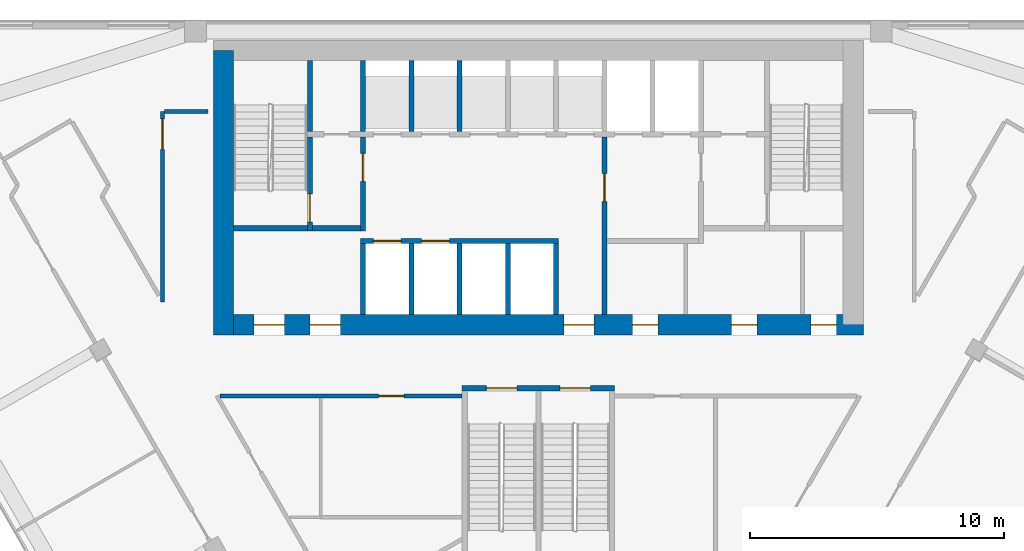
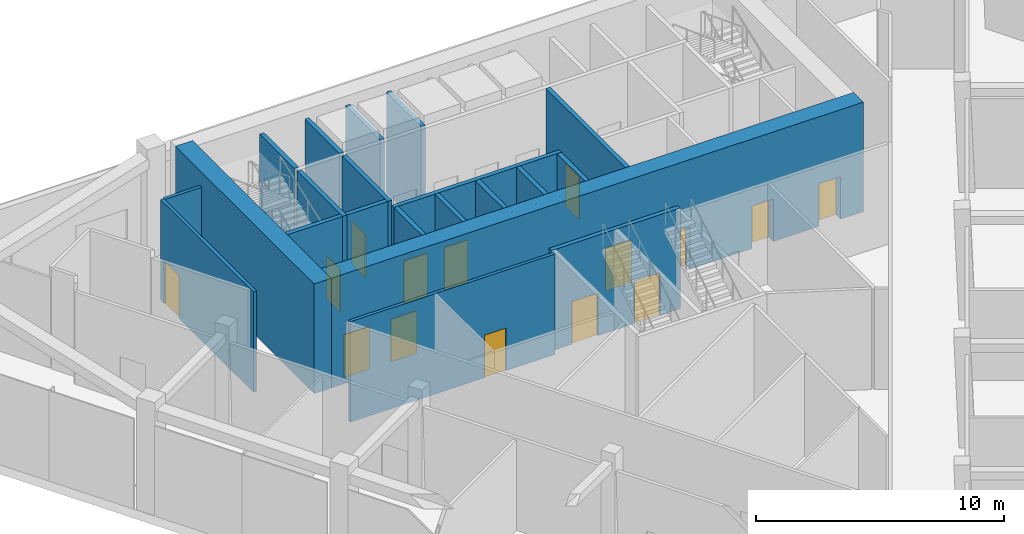
# One storey, part 8 of 12: 21 walls, 15 doors, 15 openings.
"""IFC4 building model written with IfcOpenShell, lengths in metres."""

from ifc_helpers import new_model, si_unit, direction, frame, frame_2d, origin, place, context, subcontext, project, spatial, rectangle, extrude, material, layer, layer_set, type_object, element, fill, save


model = new_model("IFC4")

# Units and contexts
model_context = context("Model", 3, precision=1e-05, world=origin(), true_north=direction((0.0, 1.0)))
body_context = subcontext(model_context, "Body", "Model", "MODEL_VIEW")
ifc_project = project(units=[si_unit("LENGTHUNIT", "METRE"), si_unit("AREAUNIT", "SQUARE_METRE"), si_unit("VOLUMEUNIT", "CUBIC_METRE"), si_unit("PLANEANGLEUNIT", "RADIAN"), si_unit("MASSUNIT", "GRAM", prefix="KILO")], contexts=[model_context])

# Site, building, storey
site_placement = place(None, origin())
site = spatial("IfcSite", under=ifc_project, at=site_placement, CompositionType="ELEMENT")
building_placement = place(site_placement, origin())
building = spatial("IfcBuilding", under=site, at=building_placement, Name="Altiplano Prism Tower", CompositionType="ELEMENT")
storey_placement = place(building_placement, frame((0.0, 0.0, 118.800048828125)))
storey = spatial("IfcBuildingStorey", under=building, at=storey_placement, Name="L30", CompositionType="ELEMENT", Elevation=118.800048828125)

# Wall, openings, doors
ifc_material_1 = material(Name="Concrete C60/75", Category="concrete")
ifc_layer_1 = layer(ifc_material_1, 0.800048828125)
ifc_layer_set_1 = layer_set([ifc_layer_1], Name="Concrete C60/75")
wall_type_1 = type_object("IfcWallType", Name="Core wall 800", PredefinedType="SHEAR", material=ifc_layer_set_1)
wall_1_placement = place(storey_placement, frame((72.60009765625, 93.0, 0.0), z_axis=(0.0, 0.0, 1.0), x_axis=(1.0, 0.0, 0.0)))
wall_1 = element("IfcWall", 1, at=wall_1_placement, inside=storey, type_object=wall_type_1, Name="Core wall S L30", PredefinedType="SHEAR", context=body_context, shape_type="SweptSolid", body=[
    extrude(rectangle(XDim=25.199951171875, YDim=0.800048828125, at=frame_2d((12.60009765625, 0.0))), origin(), (0.0, 0.0, 1.0), 5.39990234375),
])
opening_1_placement = place(wall_1_placement, frame((1.199951171875, 0.0, 0.0)))
opening_1 = element("IfcOpeningElement", 2, at=opening_1_placement, cuts=wall_1, Name="Opening D2990", PredefinedType="OPENING", context=body_context, shape_type="SweptSolid", body=[
    extrude(rectangle(XDim=1.199951171875, YDim=2.10009765625, at=frame_2d((0.60009765625, 1.050048828125))), frame((0.0, 0.41064453125, 0.0), z_axis=(0.0, -1.0, 0.0), x_axis=(1.0, 0.0, 0.0)), (0.0, 0.0, 1.0), 0.821044921875),
])
opening_2_placement = place(wall_1_placement, frame((3.39990234375, 0.0, 0.0)))
opening_2 = element("IfcOpeningElement", 3, at=opening_2_placement, cuts=wall_1, Name="Opening D2991", PredefinedType="OPENING", context=body_context, shape_type="SweptSolid", body=[
    extrude(rectangle(XDim=1.199951171875, YDim=2.10009765625, at=frame_2d((0.60009765625, 1.050048828125))), frame((0.0, 0.41064453125, 0.0), z_axis=(0.0, -1.0, 0.0), x_axis=(1.0, 0.0, 0.0)), (0.0, 0.0, 1.0), 0.821044921875),
])
opening_3_placement = place(wall_1_placement, frame((13.39990234375, 0.0, 0.0)))
opening_3 = element("IfcOpeningElement", 4, at=opening_3_placement, cuts=wall_1, Name="Opening D2992", PredefinedType="OPENING", context=body_context, shape_type="SweptSolid", body=[
    extrude(rectangle(XDim=1.199951171875, YDim=2.10009765625, at=frame_2d((0.60009765625, 1.050048828125))), frame((0.0, 0.41064453125, 0.0), z_axis=(0.0, -1.0, 0.0), x_axis=(1.0, 0.0, 0.0)), (0.0, 0.0, 1.0), 0.821044921875),
])
opening_4_placement = place(wall_1_placement, frame((16.112548828125, 0.0, 0.0)))
opening_4 = element("IfcOpeningElement", 5, at=opening_4_placement, cuts=wall_1, Name="Opening D2995", PredefinedType="OPENING", context=body_context, shape_type="SweptSolid", body=[
    extrude(rectangle(XDim=1.0, YDim=2.10009765625, at=frame_2d((0.5, 1.050048828125))), frame((0.0, 0.41064453125, 0.0), z_axis=(0.0, -1.0, 0.0), x_axis=(1.0, 0.0, 0.0)), (0.0, 0.0, 1.0), 0.821044921875),
])
opening_5_placement = place(wall_1_placement, frame((20.0, 0.0, 0.0)))
opening_5 = element("IfcOpeningElement", 6, at=opening_5_placement, cuts=wall_1, Name="Opening D2996", PredefinedType="OPENING", context=body_context, shape_type="SweptSolid", body=[
    extrude(rectangle(XDim=1.0, YDim=2.10009765625, at=frame_2d((0.5, 1.050048828125))), frame((0.0, 0.41064453125, 0.0), z_axis=(0.0, -1.0, 0.0), x_axis=(1.0, 0.0, 0.0)), (0.0, 0.0, 1.0), 0.821044921875),
])
opening_6_placement = place(wall_1_placement, frame((23.137451171875, 0.0, 0.0)))
opening_6 = element("IfcOpeningElement", 7, at=opening_6_placement, cuts=wall_1, Name="Opening D2997", PredefinedType="OPENING", context=body_context, shape_type="SweptSolid", body=[
    extrude(rectangle(XDim=1.0, YDim=2.10009765625, at=frame_2d((0.5, 1.050048828125))), frame((0.0, 0.41064453125, 0.0), z_axis=(0.0, -1.0, 0.0), x_axis=(1.0, 0.0, 0.0)), (0.0, 0.0, 1.0), 0.821044921875),
])
ifc_material_2 = material(Name="Fire-rated steel door", Category="steel")
door_type_1 = type_object("IfcDoorType", Name="Core room door 1000 x 2100", OperationType="NOTDEFINED", PredefinedType="NOTDEFINED", material=ifc_material_2)
door_1_placement = place(opening_4_placement, origin())
door_1 = element("IfcDoor", 8, at=door_1_placement, inside=storey, type_object=door_type_1, Name="Core room door D2995", OperationType="SINGLE_SWING_RIGHT", OverallHeight=2.10009765625, OverallWidth=1.0, PredefinedType="NOTDEFINED", context=body_context, shape_type="SweptSolid", body=[
    extrude(rectangle(XDim=1.0, YDim=2.10009765625, at=frame_2d((0.5, 1.050048828125))), frame((0.0, 0.02490234375, 0.0), z_axis=(0.0, -1.0, 0.0), x_axis=(1.0, 0.0, 0.0)), (0.0, 0.0, 1.0), 0.050048828125),
])
fill(opening_4, door_1)
door_2_placement = place(opening_5_placement, origin())
door_2 = element("IfcDoor", 9, at=door_2_placement, inside=storey, type_object=door_type_1, Name="Core room door D2996", OperationType="SINGLE_SWING_LEFT", OverallHeight=2.10009765625, OverallWidth=1.0, PredefinedType="NOTDEFINED", context=body_context, shape_type="SweptSolid", body=[
    extrude(rectangle(XDim=1.0, YDim=2.10009765625, at=frame_2d((0.5, 1.050048828125))), frame((0.0, 0.02490234375, 0.0), z_axis=(0.0, -1.0, 0.0), x_axis=(1.0, 0.0, 0.0)), (0.0, 0.0, 1.0), 0.050048828125),
])
fill(opening_5, door_2)
door_3_placement = place(opening_6_placement, origin())
door_3 = element("IfcDoor", 10, at=door_3_placement, inside=storey, type_object=door_type_1, Name="Core room door D2997", OperationType="SINGLE_SWING_RIGHT", OverallHeight=2.10009765625, OverallWidth=1.0, PredefinedType="NOTDEFINED", context=body_context, shape_type="SweptSolid", body=[
    extrude(rectangle(XDim=1.0, YDim=2.10009765625, at=frame_2d((0.5, 1.050048828125))), frame((0.0, 0.02490234375, 0.0), z_axis=(0.0, -1.0, 0.0), x_axis=(1.0, 0.0, 0.0)), (0.0, 0.0, 1.0), 0.050048828125),
])
fill(opening_6, door_3)
door_type_2 = type_object("IfcDoorType", Name="Lobby fire door 1200 x 2100", OperationType="NOTDEFINED", PredefinedType="NOTDEFINED", material=ifc_material_2)
door_4_placement = place(opening_1_placement, origin())
door_4 = element("IfcDoor", 11, at=door_4_placement, inside=storey, type_object=door_type_2, Name="Lobby fire door D2990", OperationType="SINGLE_SWING_RIGHT", OverallHeight=2.10009765625, OverallWidth=1.199951171875, PredefinedType="NOTDEFINED", context=body_context, shape_type="SweptSolid", body=[
    extrude(rectangle(XDim=1.199951171875, YDim=2.10009765625, at=frame_2d((0.60009765625, 1.050048828125))), frame((0.0, 0.02490234375, 0.0), z_axis=(0.0, -1.0, 0.0), x_axis=(1.0, 0.0, 0.0)), (0.0, 0.0, 1.0), 0.050048828125),
])
fill(opening_1, door_4)
door_5_placement = place(opening_2_placement, origin())
door_5 = element("IfcDoor", 12, at=door_5_placement, inside=storey, type_object=door_type_2, Name="Lobby fire door D2991", OperationType="SINGLE_SWING_LEFT", OverallHeight=2.10009765625, OverallWidth=1.199951171875, PredefinedType="NOTDEFINED", context=body_context, shape_type="SweptSolid", body=[
    extrude(rectangle(XDim=1.199951171875, YDim=2.10009765625, at=frame_2d((0.60009765625, 1.050048828125))), frame((0.0, 0.02490234375, 0.0), z_axis=(0.0, -1.0, 0.0), x_axis=(1.0, 0.0, 0.0)), (0.0, 0.0, 1.0), 0.050048828125),
])
fill(opening_2, door_5)
door_6_placement = place(opening_3_placement, origin())
door_6 = element("IfcDoor", 13, at=door_6_placement, inside=storey, type_object=door_type_2, Name="Lobby fire door D2992", OperationType="SINGLE_SWING_RIGHT", OverallHeight=2.10009765625, OverallWidth=1.199951171875, PredefinedType="NOTDEFINED", context=body_context, shape_type="SweptSolid", body=[
    extrude(rectangle(XDim=1.199951171875, YDim=2.10009765625, at=frame_2d((0.60009765625, 1.050048828125))), frame((0.0, 0.02490234375, 0.0), z_axis=(0.0, -1.0, 0.0), x_axis=(1.0, 0.0, 0.0)), (0.0, 0.0, 1.0), 0.050048828125),
])
fill(opening_3, door_6)

# Walls
wall_2_placement = place(storey_placement, frame((72.60009765625, 103.800048828125, 0.0), z_axis=(0.0, 0.0, 1.0), x_axis=(0.0, -1.0, 0.0)))
element("IfcWall", 14, at=wall_2_placement, inside=storey, type_object=wall_type_1, Name="Core wall W L30", PredefinedType="SHEAR", context=body_context, shape_type="SweptSolid", body=[
    extrude(rectangle(XDim=11.199951171875, YDim=0.800048828125, at=frame_2d((5.60009765625, 0.0))), origin(), (0.0, 0.0, 1.0), 5.39990234375),
])
ifc_material_3 = material(Name="Plasterboard on steel stud", Category="steel")
ifc_layer_2 = layer(ifc_material_3, 0.14990234375)
ifc_layer_set_2 = layer_set([ifc_layer_2], Name="Plasterboard on steel stud")
wall_type_2 = type_object("IfcWallType", Name="Partition 150 corridor", PredefinedType="PARTITIONING", material=ifc_layer_set_2)
wall_3_placement = place(storey_placement, frame((72.0, 101.40087890625, 0.0), z_axis=(0.0, 0.0, 1.0), x_axis=(-0.999999909973, -0.000424328109, 0.0)))
element("IfcWall", 15, at=wall_3_placement, inside=storey, type_object=wall_type_2, Name="Partition P06 L30 015", PredefinedType="PARTITIONING", context=body_context, shape_type="SweptSolid", body=[
    extrude(rectangle(XDim=1.72607421875, YDim=0.14990234375, at=frame_2d((0.863037109375, 0.0))), origin(), (0.0, 0.0, 1.0), 4.949951171875),
])

# Wall, opening, door
wall_4_placement = place(storey_placement, frame((70.198974609375, 101.400146484375, 0.0), z_axis=(0.0, 0.0, 1.0), x_axis=(0.0, -1.0, 0.0)))
wall_4 = element("IfcWall", 16, at=wall_4_placement, inside=storey, type_object=wall_type_2, Name="Partition P06 L30 016", PredefinedType="PARTITIONING", context=body_context, shape_type="SweptSolid", body=[
    extrude(rectangle(XDim=7.49609375, YDim=0.14990234375, at=frame_2d((3.748046875, 0.0))), origin(), (0.0, 0.0, 1.0), 4.949951171875),
])
opening_7_placement = place(wall_4_placement, frame((0.2958984375, 0.0, 0.0)))
opening_7 = element("IfcOpeningElement", 17, at=opening_7_placement, cuts=wall_4, Name="Opening D1085", PredefinedType="OPENING", context=body_context, shape_type="SweptSolid", body=[
    extrude(rectangle(XDim=1.199951171875, YDim=2.10009765625, at=frame_2d((0.60009765625, 1.050048828125))), frame((0.0, 0.08544921875, 0.0), z_axis=(0.0, -1.0, 0.0), x_axis=(1.0, 0.0, 0.0)), (0.0, 0.0, 1.0), 0.1708984375),
])
ifc_material_4 = material(Name="Timber", Category="wood")
door_type_3 = type_object("IfcDoorType", Name="Shared room door 1200 x 2100", OperationType="NOTDEFINED", PredefinedType="NOTDEFINED", material=ifc_material_4)
door_7_placement = place(opening_7_placement, origin())
door_7 = element("IfcDoor", 18, at=door_7_placement, inside=storey, type_object=door_type_3, Name="Door D1085", OperationType="SINGLE_SWING_LEFT", OverallHeight=2.10009765625, OverallWidth=1.199951171875, PredefinedType="NOTDEFINED", context=body_context, shape_type="SweptSolid", body=[
    extrude(rectangle(XDim=1.199951171875, YDim=2.10009765625, at=frame_2d((0.60009765625, 1.050048828125))), frame((0.0, 0.02490234375, 0.0), z_axis=(0.0, -1.0, 0.0), x_axis=(1.0, 0.0, 0.0)), (0.0, 0.0, 1.0), 0.050048828125),
])
fill(opening_7, door_7)

wall_5_placement = place(storey_placement, frame((72.468017578125, 90.198974609375, 0.0), z_axis=(0.0, 0.0, 1.0), x_axis=(1.0, 0.0, 0.0)))
wall_5 = element("IfcWall", 19, at=wall_5_placement, inside=storey, type_object=wall_type_2, Name="Partition P06 L30 023", PredefinedType="PARTITIONING", context=body_context, shape_type="SweptSolid", body=[
    extrude(rectangle(XDim=9.531982421875, YDim=0.14990234375, at=frame_2d((4.76611328125, 0.0))), origin(), (0.0, 0.0, 1.0), 4.949951171875),
])
opening_8_placement = place(wall_5_placement, frame((6.2451171875, 0.0, 0.0)))
opening_8 = element("IfcOpeningElement", 20, at=opening_8_placement, cuts=wall_5, Name="Opening D1090", PredefinedType="OPENING", context=body_context, shape_type="SweptSolid", body=[
    extrude(rectangle(XDim=1.0, YDim=2.10009765625, at=frame_2d((0.5, 1.050048828125))), frame((0.0, 0.08544921875, 0.0), z_axis=(0.0, -1.0, 0.0), x_axis=(1.0, 0.0, 0.0)), (0.0, 0.0, 1.0), 0.1708984375),
])
door_type_4 = type_object("IfcDoorType", Name="Store door 1000 x 2100", OperationType="NOTDEFINED", PredefinedType="NOTDEFINED", material=ifc_material_4)
door_8_placement = place(opening_8_placement, origin())
door_8 = element("IfcDoor", 21, at=door_8_placement, inside=storey, type_object=door_type_4, Name="Door D1090", OperationType="SINGLE_SWING_LEFT", OverallHeight=2.10009765625, OverallWidth=1.0, PredefinedType="NOTDEFINED", context=body_context, shape_type="SweptSolid", body=[
    extrude(rectangle(XDim=1.0, YDim=2.10009765625, at=frame_2d((0.5, 1.050048828125))), frame((0.0, 0.02490234375, 0.0), z_axis=(0.0, -1.0, 0.0), x_axis=(1.0, 0.0, 0.0)), (0.0, 0.0, 1.0), 0.050048828125),
])
fill(opening_8, door_8)

# Walls
ifc_layer_3 = layer(ifc_material_1, 0.199951171875)
ifc_layer_set_3 = layer_set([ifc_layer_3], Name="Concrete C60/75")
wall_type_3 = type_object("IfcWallType", Name="Shaft wall 200", PredefinedType="SOLIDWALL", material=ifc_layer_set_3)
for number, where, z_axis, x_axis, name in (
    (22, (78.10009765625, 93.39990234375, 0.0), (0.0, 0.0, 1.0), (0.0, 1.0, 0.0), "Shaft wall L30"),
    (23, (80.0, 93.39990234375, 0.0), (0.0, 0.0, 1.0), (0.0, 1.0, 0.0), "Shaft wall L30"),
    (24, (81.89990234375, 93.39990234375, 0.0), (0.0, 0.0, 1.0), (0.0, 1.0, 0.0), "Shaft wall L30"),
    (25, (83.800048828125, 93.39990234375, 0.0), (0.0, 0.0, 1.0), (0.0, 1.0, 0.0), "Shaft wall L30"),
    (26, (85.699951171875, 93.39990234375, 0.0), (0.0, 0.0, 1.0), (0.0, 1.0, 0.0), "Shaft wall L30"),
):
    element("IfcWall", number, at=place(storey_placement, frame(where, z_axis=z_axis, x_axis=x_axis)), inside=storey, type_object=wall_type_3, Name=name, PredefinedType="SOLIDWALL", context=body_context, shape_type="SweptSolid", body=[
        extrude(rectangle(XDim=2.800048828125, YDim=0.199951171875, at=frame_2d((1.39990234375, 0.0))), origin(), (0.0, 0.0, 1.0), 4.949951171875),
    ])

# Wall, openings, doors
wall_6_placement = place(storey_placement, frame((78.0, 96.300048828125, 0.0), z_axis=(0.0, 0.0, 1.0), x_axis=(1.0, 0.0, 0.0)))
wall_6 = element("IfcWall", 27, at=wall_6_placement, inside=storey, type_object=wall_type_3, Name="Shaft wall L30", PredefinedType="SOLIDWALL", context=body_context, shape_type="SweptSolid", body=[
    extrude(rectangle(XDim=7.800048828125, YDim=0.199951171875, at=frame_2d((3.89990234375, 0.0))), origin(), (0.0, 0.0, 1.0), 4.949951171875),
])
opening_9_placement = place(wall_6_placement, frame((0.5, 0.0, 0.0)))
opening_9 = element("IfcOpeningElement", 28, at=opening_9_placement, cuts=wall_6, Name="Opening LD-SH1-L30", PredefinedType="OPENING", context=body_context, shape_type="SweptSolid", body=[
    extrude(rectangle(XDim=1.10009765625, YDim=2.10009765625, at=frame_2d((0.550048828125, 1.050048828125))), frame((0.0, 0.1103515625, 0.0), z_axis=(0.0, -1.0, 0.0), x_axis=(1.0, 0.0, 0.0)), (0.0, 0.0, 1.0), 0.220947265625),
])
opening_10_placement = place(wall_6_placement, frame((2.39990234375, 0.0, 0.0)))
opening_10 = element("IfcOpeningElement", 29, at=opening_10_placement, cuts=wall_6, Name="Opening LD-SH2-L30", PredefinedType="OPENING", context=body_context, shape_type="SweptSolid", body=[
    extrude(rectangle(XDim=1.10009765625, YDim=2.10009765625, at=frame_2d((0.550048828125, 1.050048828125))), frame((0.0, 0.1103515625, 0.0), z_axis=(0.0, -1.0, 0.0), x_axis=(1.0, 0.0, 0.0)), (0.0, 0.0, 1.0), 0.220947265625),
])
ifc_material_5 = material(Name="Stainless steel landing door", Category="steel")
door_type_5 = type_object("IfcDoorType", Name="Landing door 1100 x 2100", OperationType="NOTDEFINED", PredefinedType="NOTDEFINED", material=ifc_material_5)
door_9_placement = place(opening_9_placement, origin())
door_9 = element("IfcDoor", 30, at=door_9_placement, inside=storey, type_object=door_type_5, Name="Landing doors SH1", OperationType="SLIDING_TO_RIGHT", OverallHeight=2.10009765625, OverallWidth=1.10009765625, PredefinedType="NOTDEFINED", context=body_context, shape_type="SweptSolid", body=[
    extrude(rectangle(XDim=1.10009765625, YDim=2.10009765625, at=frame_2d((0.550048828125, 1.050048828125))), frame((0.0, 0.02490234375, 0.0), z_axis=(0.0, -1.0, 0.0), x_axis=(1.0, 0.0, 0.0)), (0.0, 0.0, 1.0), 0.050048828125),
])
fill(opening_9, door_9)
door_10_placement = place(opening_10_placement, origin())
door_10 = element("IfcDoor", 31, at=door_10_placement, inside=storey, type_object=door_type_5, Name="Landing doors SH2", OperationType="SLIDING_TO_LEFT", OverallHeight=2.10009765625, OverallWidth=1.10009765625, PredefinedType="NOTDEFINED", context=body_context, shape_type="SweptSolid", body=[
    extrude(rectangle(XDim=1.10009765625, YDim=2.10009765625, at=frame_2d((0.550048828125, 1.050048828125))), frame((0.0, 0.02490234375, 0.0), z_axis=(0.0, -1.0, 0.0), x_axis=(1.0, 0.0, 0.0)), (0.0, 0.0, 1.0), 0.050048828125),
])
fill(opening_10, door_10)

# Walls
for number, where, z_axis, x_axis, name in (
    (32, (78.10009765625, 100.60009765625, 0.0), (0.0, 0.0, 1.0), (0.0, 1.0, 0.0), "Shaft wall L30"),
    (33, (80.0, 100.60009765625, 0.0), (0.0, 0.0, 1.0), (0.0, 1.0, 0.0), "Shaft wall L30"),
    (34, (81.89990234375, 100.60009765625, 0.0), (0.0, 0.0, 1.0), (0.0, 1.0, 0.0), "Shaft wall L30"),
):
    element("IfcWall", number, at=place(storey_placement, frame(where, z_axis=z_axis, x_axis=x_axis)), inside=storey, type_object=wall_type_3, Name=name, PredefinedType="SOLIDWALL", context=body_context, shape_type="SweptSolid", body=[
        extrude(rectangle(XDim=2.7998046875, YDim=0.199951171875, at=frame_2d((1.39990234375, 0.0))), origin(), (0.0, 0.0, 1.0), 4.949951171875),
    ])
ifc_layer_4 = layer(ifc_material_1, 0.199951171875)
ifc_layer_set_4 = layer_set([ifc_layer_4], Name="Concrete C60/75")
wall_type_4 = type_object("IfcWallType", Name="Stair wall 200", PredefinedType="SOLIDWALL", material=ifc_layer_set_4)
wall_7_placement = place(storey_placement, frame((73.0, 96.800048828125, 0.0), z_axis=(0.0, 0.0, 1.0), x_axis=(1.0, 0.0, 0.0)))
element("IfcWall", 35, at=wall_7_placement, inside=storey, type_object=wall_type_4, Name="Stair wall L30", PredefinedType="SOLIDWALL", context=body_context, shape_type="SweptSolid", body=[
    extrude(rectangle(XDim=2.89990234375, YDim=0.199951171875, at=frame_2d((1.449951171875, 0.0))), origin(), (0.0, 0.0, 1.0), 4.949951171875),
])

# Wall, opening, door
wall_8_placement = place(storey_placement, frame((76.0, 96.699951171875, 0.0), z_axis=(0.0, 0.0, 1.0), x_axis=(0.0, 1.0, 0.0)))
wall_8 = element("IfcWall", 36, at=wall_8_placement, inside=storey, type_object=wall_type_4, Name="Stair wall L30", PredefinedType="SOLIDWALL", context=body_context, shape_type="SweptSolid", body=[
    extrude(rectangle(XDim=3.699951171875, YDim=0.199951171875, at=frame_2d((1.85009765625, 0.0))), origin(), (0.0, 0.0, 1.0), 4.949951171875),
])
opening_11_placement = place(wall_8_placement, frame((0.35009765625, 0.0, 0.0)))
opening_11 = element("IfcOpeningElement", 37, at=opening_11_placement, cuts=wall_8, Name="Opening D2985", PredefinedType="OPENING", context=body_context, shape_type="SweptSolid", body=[
    extrude(rectangle(XDim=1.10009765625, YDim=2.10009765625, at=frame_2d((0.550048828125, 1.050048828125))), frame((0.0, 0.1103515625, 0.0), z_axis=(0.0, -1.0, 0.0), x_axis=(1.0, 0.0, 0.0)), (0.0, 0.0, 1.0), 0.220947265625),
])
door_type_6 = type_object("IfcDoorType", Name="Stair fire door 1100 x 2100", OperationType="NOTDEFINED", PredefinedType="NOTDEFINED", material=ifc_material_2)
door_11_placement = place(opening_11_placement, origin())
door_11 = element("IfcDoor", 38, at=door_11_placement, inside=storey, type_object=door_type_6, Name="Stair fire door D2985", OperationType="SINGLE_SWING_RIGHT", OverallHeight=2.10009765625, OverallWidth=1.10009765625, PredefinedType="NOTDEFINED", context=body_context, shape_type="SweptSolid", body=[
    extrude(rectangle(XDim=1.10009765625, YDim=2.10009765625, at=frame_2d((0.550048828125, 1.050048828125))), frame((0.0, 0.02490234375, 0.0), z_axis=(0.0, -1.0, 0.0), x_axis=(1.0, 0.0, 0.0)), (0.0, 0.0, 1.0), 0.050048828125),
])
fill(opening_11, door_11)

# Wall
wall_9_placement = place(storey_placement, frame((76.0, 100.60009765625, 0.0), z_axis=(0.0, 0.0, 1.0), x_axis=(0.0, 1.0, 0.0)))
element("IfcWall", 39, at=wall_9_placement, inside=storey, type_object=wall_type_4, Name="Stair wall L30", PredefinedType="SOLIDWALL", context=body_context, shape_type="SweptSolid", body=[
    extrude(rectangle(XDim=2.7998046875, YDim=0.199951171875, at=frame_2d((1.39990234375, 0.0))), origin(), (0.0, 0.0, 1.0), 4.949951171875),
])

# Wall, openings, doors
wall_10_placement = place(storey_placement, frame((82.0, 90.5, 0.0), z_axis=(0.0, 0.0, 1.0), x_axis=(1.0, 0.0, 0.0)))
wall_10 = element("IfcWall", 40, at=wall_10_placement, inside=storey, type_object=wall_type_4, Name="Stair 3 wall north L30", PredefinedType="SOLIDWALL", context=body_context, shape_type="SweptSolid", body=[
    extrude(rectangle(XDim=6.0, YDim=0.199951171875, at=frame_2d((3.0, 0.0))), origin(), (0.0, 0.0, 1.0), 4.949951171875),
])
opening_12_placement = place(wall_10_placement, frame((0.949951171875, 0.0, 0.0)))
opening_12 = element("IfcOpeningElement", 41, at=opening_12_placement, cuts=wall_10, Name="Opening D3982", PredefinedType="OPENING", context=body_context, shape_type="SweptSolid", body=[
    extrude(rectangle(XDim=1.199951171875, YDim=2.10009765625, at=frame_2d((0.60009765625, 1.050048828125))), frame((0.0, 0.1103515625, 0.0), z_axis=(0.0, -1.0, 0.0), x_axis=(1.0, 0.0, 0.0)), (0.0, 0.0, 1.0), 0.220947265625),
])
opening_13_placement = place(wall_10_placement, frame((3.85009765625, 0.0, 0.0)))
opening_13 = element("IfcOpeningElement", 42, at=opening_13_placement, cuts=wall_10, Name="Opening D3983", PredefinedType="OPENING", context=body_context, shape_type="SweptSolid", body=[
    extrude(rectangle(XDim=1.199951171875, YDim=2.10009765625, at=frame_2d((0.60009765625, 1.050048828125))), frame((0.0, 0.1103515625, 0.0), z_axis=(0.0, -1.0, 0.0), x_axis=(1.0, 0.0, 0.0)), (0.0, 0.0, 1.0), 0.220947265625),
])
door_type_7 = type_object("IfcDoorType", Name="Stair fire door 1200 x 2100", OperationType="NOTDEFINED", PredefinedType="NOTDEFINED", material=ifc_material_2)
door_12_placement = place(opening_12_placement, origin())
door_12 = element("IfcDoor", 43, at=door_12_placement, inside=storey, type_object=door_type_7, Name="Stair fire door D3982", OperationType="SINGLE_SWING_LEFT", OverallHeight=2.10009765625, OverallWidth=1.199951171875, PredefinedType="NOTDEFINED", context=body_context, shape_type="SweptSolid", body=[
    extrude(rectangle(XDim=1.199951171875, YDim=2.10009765625, at=frame_2d((0.60009765625, 1.050048828125))), frame((0.0, 0.02490234375, 0.0), z_axis=(0.0, -1.0, 0.0), x_axis=(1.0, 0.0, 0.0)), (0.0, 0.0, 1.0), 0.050048828125),
])
fill(opening_12, door_12)
door_13_placement = place(opening_13_placement, origin())
door_13 = element("IfcDoor", 44, at=door_13_placement, inside=storey, type_object=door_type_7, Name="Stair fire door D3983", OperationType="SINGLE_SWING_LEFT", OverallHeight=2.10009765625, OverallWidth=1.199951171875, PredefinedType="NOTDEFINED", context=body_context, shape_type="SweptSolid", body=[
    extrude(rectangle(XDim=1.199951171875, YDim=2.10009765625, at=frame_2d((0.60009765625, 1.050048828125))), frame((0.0, 0.02490234375, 0.0), z_axis=(0.0, -1.0, 0.0), x_axis=(1.0, 0.0, 0.0)), (0.0, 0.0, 1.0), 0.050048828125),
])
fill(opening_13, door_13)

# Wall, opening, door
ifc_layer_5 = layer(ifc_material_1, 0.199951171875)
ifc_layer_set_5 = layer_set([ifc_layer_5], Name="Concrete C60/75")
wall_type_5 = type_object("IfcWallType", Name="Vestibule wall 200", PredefinedType="PARTITIONING", material=ifc_layer_set_5)
wall_11_placement = place(storey_placement, frame((87.60009765625, 93.39990234375, 0.0), z_axis=(0.0, 0.0, 1.0), x_axis=(0.0, 1.0, 0.0)))
wall_11 = element("IfcWall", 45, at=wall_11_placement, inside=storey, type_object=wall_type_5, Name="Vestibule wall L30", PredefinedType="PARTITIONING", context=body_context, shape_type="SweptSolid", body=[
    extrude(rectangle(XDim=7.0, YDim=0.199951171875, at=frame_2d((3.5, 0.0))), origin(), (0.0, 0.0, 1.0), 4.949951171875),
])
opening_14_placement = place(wall_11_placement, frame((4.449951171875, 0.0, 0.0)))
opening_14 = element("IfcOpeningElement", 46, at=opening_14_placement, cuts=wall_11, Name="Opening D2988", PredefinedType="OPENING", context=body_context, shape_type="SweptSolid", body=[
    extrude(rectangle(XDim=1.10009765625, YDim=2.10009765625, at=frame_2d((0.550048828125, 1.050048828125))), frame((0.0, 0.1103515625, 0.0), z_axis=(0.0, -1.0, 0.0), x_axis=(1.0, 0.0, 0.0)), (0.0, 0.0, 1.0), 0.220947265625),
])
door_type_8 = type_object("IfcDoorType", Name="Vestibule fire door 1100 x 2100", OperationType="NOTDEFINED", PredefinedType="NOTDEFINED", material=ifc_material_2)
door_14_placement = place(opening_14_placement, origin())
door_14 = element("IfcDoor", 47, at=door_14_placement, inside=storey, type_object=door_type_8, Name="Vestibule fire door D2988", OperationType="SINGLE_SWING_RIGHT", OverallHeight=2.10009765625, OverallWidth=1.10009765625, PredefinedType="NOTDEFINED", context=body_context, shape_type="SweptSolid", body=[
    extrude(rectangle(XDim=1.10009765625, YDim=2.10009765625, at=frame_2d((0.550048828125, 1.050048828125))), frame((0.0, 0.02490234375, 0.0), z_axis=(0.0, -1.0, 0.0), x_axis=(1.0, 0.0, 0.0)), (0.0, 0.0, 1.0), 0.050048828125),
])
fill(opening_14, door_14)

# Wall
wall_12_placement = place(storey_placement, frame((76.10009765625, 96.800048828125, 0.0), z_axis=(0.0, 0.0, 1.0), x_axis=(1.0, 0.0, 0.0)))
element("IfcWall", 48, at=wall_12_placement, inside=storey, type_object=wall_type_5, Name="Vestibule wall L30", PredefinedType="PARTITIONING", context=body_context, shape_type="SweptSolid", body=[
    extrude(rectangle(XDim=1.89990234375, YDim=0.199951171875, at=frame_2d((0.949951171875, 0.0))), origin(), (0.0, 0.0, 1.0), 4.949951171875),
])

# Wall, opening, door
wall_13_placement = place(storey_placement, frame((78.10009765625, 96.699951171875, 0.0), z_axis=(0.0, 0.0, 1.0), x_axis=(0.0, 1.0, 0.0)))
wall_13 = element("IfcWall", 49, at=wall_13_placement, inside=storey, type_object=wall_type_5, Name="Vestibule wall L30", PredefinedType="PARTITIONING", context=body_context, shape_type="SweptSolid", body=[
    extrude(rectangle(XDim=3.699951171875, YDim=0.199951171875, at=frame_2d((1.85009765625, 0.0))), origin(), (0.0, 0.0, 1.0), 4.949951171875),
])
opening_15_placement = place(wall_13_placement, frame((1.949951171875, 0.0, 0.0)))
opening_15 = element("IfcOpeningElement", 50, at=opening_15_placement, cuts=wall_13, Name="Opening D2987", PredefinedType="OPENING", context=body_context, shape_type="SweptSolid", body=[
    extrude(rectangle(XDim=1.10009765625, YDim=2.10009765625, at=frame_2d((0.550048828125, 1.050048828125))), frame((0.0, 0.1103515625, 0.0), z_axis=(0.0, -1.0, 0.0), x_axis=(1.0, 0.0, 0.0)), (0.0, 0.0, 1.0), 0.220947265625),
])
door_15_placement = place(opening_15_placement, origin())
door_15 = element("IfcDoor", 51, at=door_15_placement, inside=storey, type_object=door_type_8, Name="Vestibule fire door D2987", OperationType="SINGLE_SWING_LEFT", OverallHeight=2.10009765625, OverallWidth=1.10009765625, PredefinedType="NOTDEFINED", context=body_context, shape_type="SweptSolid", body=[
    extrude(rectangle(XDim=1.10009765625, YDim=2.10009765625, at=frame_2d((0.550048828125, 1.050048828125))), frame((0.0, 0.02490234375, 0.0), z_axis=(0.0, -1.0, 0.0), x_axis=(1.0, 0.0, 0.0)), (0.0, 0.0, 1.0), 0.050048828125),
])
fill(opening_15, door_15)

save(model, "model.ifc")
